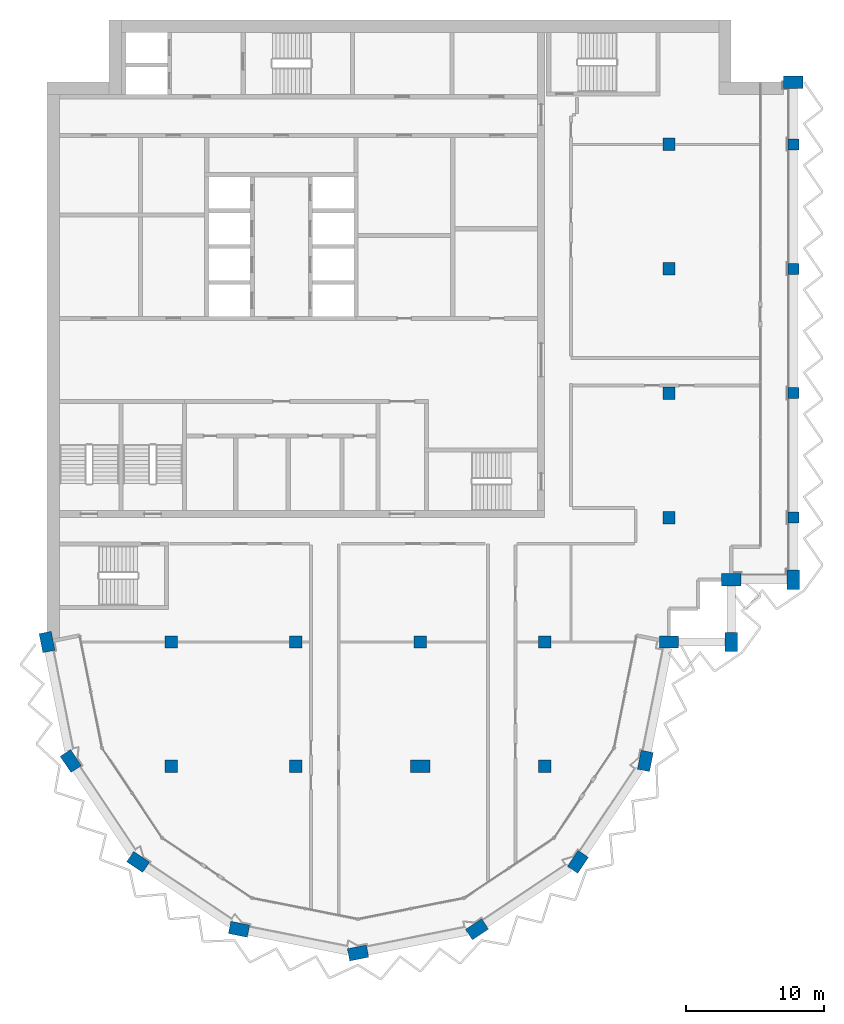
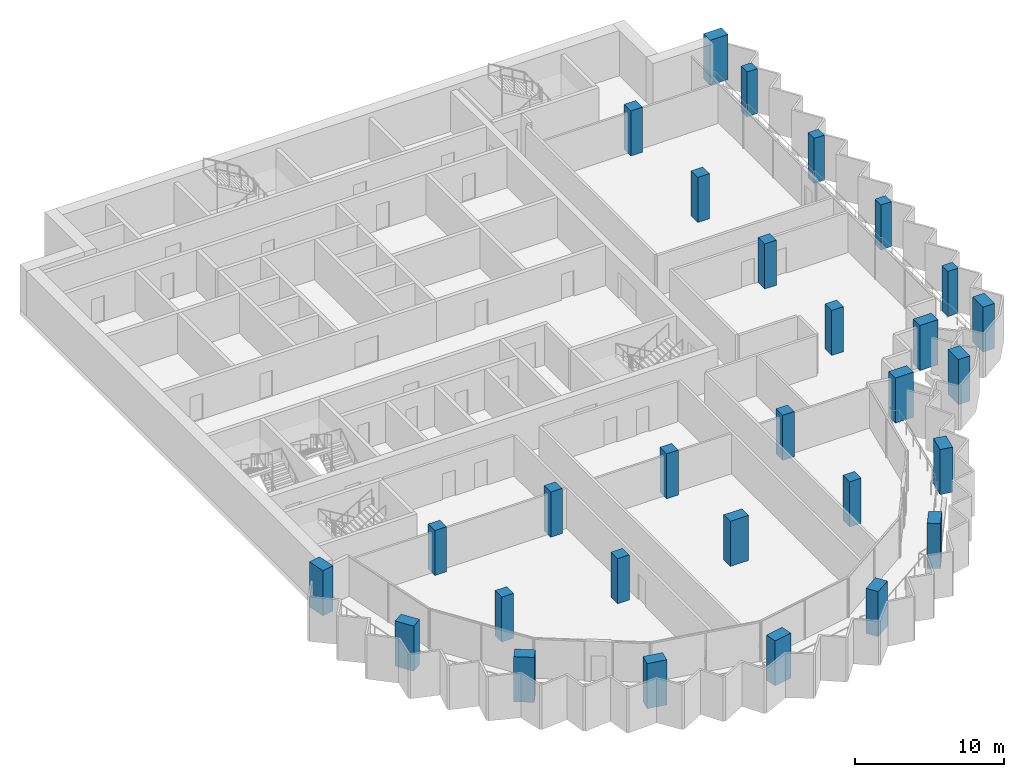
# One storey, part 1 of 14: 29 columns.
"""IFC4 building model written with IfcOpenShell, lengths in metres."""

import ifcopenshell
import ifcopenshell.guid

model = None  # the IFC model being written
_history = None  # IfcOwnerHistory: only IFC2X3 demands one
_inside = {}  # id of a spatial element -> (the spatial element, [elements in it])
_under = {}  # id of a project, library or spatial element -> (it, [spatial elements below it])
_declared = {}  # id of a project -> (the project, [libraries it declares])
_typed = {}  # id of a type object -> (the type object, [elements of that type])
_made_of = {}  # id of a material, layer set ... -> (it, [elements and type objects made of it])


def new_model(schema):
    """Start an empty IFC model of exactly this schema.

    Asked for "IFC4X3", IfcOpenShell would pick the latest addendum, in which some entities
    have other attributes; the version numbers below select the first issue.
    IFC2X3 requires an IfcOwnerHistory on every rooted entity: one is made here for all.
    """
    global model, _history
    if schema == "IFC4X3":
        model = ifcopenshell.file(schema_version=(4, 3, 0, 0))
    else:
        model = ifcopenshell.file(schema=schema)
    _inside.clear()
    _under.clear()
    _declared.clear()
    _typed.clear()
    _made_of.clear()
    _history = None
    if model.schema == "IFC2X3":
        org = make("IfcOrganization", Name="unknown")
        user = make(
            "IfcPersonAndOrganization",
            ThePerson=make("IfcPerson", FamilyName="unknown"),
            TheOrganization=org,
        )
        app = make(
            "IfcApplication",
            ApplicationDeveloper=org,
            Version="unknown",
            ApplicationFullName="unknown",
            ApplicationIdentifier="unknown",
        )
        _history = make(
            "IfcOwnerHistory",
            OwningUser=user,
            OwningApplication=app,
            ChangeAction="ADDED",
            CreationDate=0,
        )
    return model


def make(cls, **values):
    """One entity of the class cls with the attributes given. An attribute that is None is left unset."""
    return model.create_entity(
        cls, **{name: value for name, value in values.items() if value is not None}
    )


def rooted(cls, **values):
    """An entity with a GlobalId (a new one), such as an element, a storey or a relation."""
    return make(cls, GlobalId=ifcopenshell.guid.new(), OwnerHistory=_history, **values)


def si_unit(unit_type, name, prefix=None):
    """IfcSIUnit, for example si_unit("LENGTHUNIT", "METRE", prefix="MILLI")."""
    return make("IfcSIUnit", UnitType=unit_type, Prefix=prefix, Name=name)


def assignment(units):
    """IfcUnitAssignment: the units of a project."""
    return None if units is None else make("IfcUnitAssignment", Units=units)


def point(xyz):
    """IfcCartesianPoint."""
    return None if xyz is None else make("IfcCartesianPoint", Coordinates=xyz)


def direction(xyz):
    """IfcDirection."""
    return None if xyz is None else make("IfcDirection", DirectionRatios=xyz)


def frame(location, z_axis=None, x_axis=None):
    """IfcAxis2Placement3D, a coordinate frame: its origin and axes. An axis left out is left unset."""
    return make(
        "IfcAxis2Placement3D",
        Location=point(location),
        Axis=direction(z_axis),
        RefDirection=direction(x_axis),
    )


def frame_2d(location, x_axis=None):
    """IfcAxis2Placement2D, a coordinate frame in the plane: its origin and x axis."""
    return make(
        "IfcAxis2Placement2D", Location=point(location), RefDirection=direction(x_axis)
    )


def origin():
    """The frame at (0, 0, 0) with its axes left unset."""
    return frame((0.0, 0.0, 0.0))


def origin_2d():
    """The frame at (0, 0) in the plane with its x axis left unset."""
    return frame_2d((0.0, 0.0))


def place(relative_to, where):
    """IfcLocalPlacement: puts the frame where relative to a parent placement (None: the world)."""
    return make(
        "IfcLocalPlacement", PlacementRelTo=relative_to, RelativePlacement=where
    )


def context(
    kind, dimensions, precision=None, world=None, true_north=None, identifier=None
):
    """IfcGeometricRepresentationContext, for example the 3D "Model" context."""
    return make(
        "IfcGeometricRepresentationContext",
        ContextIdentifier=identifier,
        ContextType=kind,
        CoordinateSpaceDimension=dimensions,
        Precision=precision,
        WorldCoordinateSystem=world,
        TrueNorth=true_north,
    )


def subcontext(parent, identifier, kind, view, scale=None):
    """IfcGeometricRepresentationSubContext, for example "Body" below "Model"."""
    return make(
        "IfcGeometricRepresentationSubContext",
        ContextIdentifier=identifier,
        ContextType=kind,
        ParentContext=parent,
        TargetScale=scale,
        TargetView=view,
    )


def project(units=None, contexts=None):
    """IfcProject with its units and contexts."""
    return rooted(
        "IfcProject",
        Name="project",
        RepresentationContexts=contexts,
        UnitsInContext=assignment(units),
    )


def spatial(cls, under=None, at=None, **own):
    """A site, building, storey or space (cls), placed at a placement, below another one or the project."""
    s = rooted(cls, ObjectPlacement=at, **own)
    if under is not None:
        _under.setdefault(under.id(), (under, []))[1].append(s)
    return s


def profile(cls, at=None, kind="AREA", **sizes):
    """A parametric profile (cls). Its sizes go by their IFC names, for example OverallWidth=200.0."""
    return make(cls, ProfileType=kind, Position=at, **sizes)


def rectangle(**sizes):
    """IfcRectangleProfileDef."""
    return profile("IfcRectangleProfileDef", **sizes)


def extrude(swept, where, along, depth):
    """IfcExtrudedAreaSolid: the profile swept, set in the frame where, extruded along a direction by depth."""
    return make(
        "IfcExtrudedAreaSolid",
        SweptArea=swept,
        Position=where,
        ExtrudedDirection=direction(along),
        Depth=depth,
    )


def shape(context_of_items, identifier, shape_type, items):
    """IfcShapeRepresentation: the items that make up one representation, for example the "Body"."""
    return make(
        "IfcShapeRepresentation",
        ContextOfItems=context_of_items,
        RepresentationIdentifier=identifier,
        RepresentationType=shape_type,
        Items=items,
    )


def material(Name=None, Category=None):
    """IfcMaterial."""
    return make("IfcMaterial", Name=Name, Category=Category)


def material_profile(
    of_material, cross_section, Name=None, Category=None, Priority=None
):
    """IfcMaterialProfile: a cross section and its material."""
    return make(
        "IfcMaterialProfile",
        Name=Name,
        Material=of_material,
        Profile=cross_section,
        Priority=Priority,
        Category=Category,
    )


def profile_set(profiles, Name=None, composite=None):
    """IfcMaterialProfileSet."""
    return make(
        "IfcMaterialProfileSet",
        Name=Name,
        MaterialProfiles=profiles,
        CompositeProfile=composite,
    )


def made_of(thing, what):
    """Note that an element or type object is made of a material, layer set ...; save() writes the relation."""
    if what is not None:
        _made_of.setdefault(what.id(), (what, []))[1].append(thing)
    return thing


def type_object(cls, material=None, **own):
    """A type object (cls), such as IfcWallType, which elements share."""
    return made_of(rooted(cls, **own), material)


def element(
    cls,
    number,
    at=None,
    inside=None,
    cuts=None,
    type_object=None,
    material=None,
    context=None,
    identifier="Body",
    shape_type=None,
    held_by="IfcProductDefinitionShape",
    body=None,
    shapes=None,
    **own,
):
    """One element of the class cls, such as IfcWall. Its Tag is "e" and its number.

    at: its placement. inside: the storey or other place that contains it. cuts: it is an
    opening in that element (IfcRelVoidsElement). A single representation is given by context,
    identifier, shape_type and body (its items); several are given by shapes. held_by: the class
    of the entity that holds the representations. save() writes the other relations.
    """
    e = rooted(cls, Tag="e%d" % number, ObjectPlacement=at, **own)
    if body is not None:
        shapes = [shape(context, identifier, shape_type, body)]
    if shapes is not None:
        e.Representation = make(held_by, Representations=shapes)
    if inside is not None:
        _inside.setdefault(inside.id(), (inside, []))[1].append(e)
    if cuts is not None:
        rooted(
            "IfcRelVoidsElement", RelatingBuildingElement=cuts, RelatedOpeningElement=e
        )
    if type_object is not None:
        _typed.setdefault(type_object.id(), (type_object, []))[1].append(e)
    return made_of(e, material)


def aggregate(whole, parts):
    """IfcRelAggregates: a whole, such as a stair, and the parts it consists of."""
    return rooted("IfcRelAggregates", RelatingObject=whole, RelatedObjects=parts)


def save(model, path):
    """Write the relations noted so far, then the file.

    IfcRelAggregates (storeys below a building ...), IfcRelContainedInSpatialStructure (elements
    in a storey), IfcRelDefinesByType, IfcRelAssociatesMaterial and IfcRelDeclares: one each for
    every whole, place, type object, material and project.
    """
    for whole, parts in _under.values():
        aggregate(whole, parts)
    for where, things in _inside.values():
        rooted(
            "IfcRelContainedInSpatialStructure",
            RelatedElements=things,
            RelatingStructure=where,
        )
    for kind, things in _typed.values():
        rooted("IfcRelDefinesByType", RelatedObjects=things, RelatingType=kind)
    for what, things in _made_of.values():
        rooted("IfcRelAssociatesMaterial", RelatedObjects=things, RelatingMaterial=what)
    for by, libraries in _declared.values():
        rooted("IfcRelDeclares", RelatingContext=by, RelatedDefinitions=libraries)
    model.write(path)


model = new_model("IFC4")

# Units and contexts
model_context = context("Model", 3, precision=1e-05, world=origin(), true_north=direction((0.0, 1.0)))
body_context = subcontext(model_context, "Body", "Model", "MODEL_VIEW")
ifc_project = project(units=[si_unit("LENGTHUNIT", "METRE"), si_unit("AREAUNIT", "SQUARE_METRE"), si_unit("VOLUMEUNIT", "CUBIC_METRE"), si_unit("PLANEANGLEUNIT", "RADIAN"), si_unit("MASSUNIT", "GRAM", prefix="KILO")], contexts=[model_context])

# Site, building, storey
site_placement = place(None, origin())
site = spatial("IfcSite", under=ifc_project, at=site_placement, CompositionType="ELEMENT")
building_placement = place(site_placement, origin())
building = spatial("IfcBuilding", under=site, at=building_placement, Name="Hunhe Ridgeline Campus", CompositionType="ELEMENT")
storey_placement = place(building_placement, frame((0.0, 0.0, 291.89990234375)))
storey = spatial("IfcBuildingStorey", under=building, at=storey_placement, Name="L75", CompositionType="ELEMENT", Elevation=291.89990234375)

# Columns
ifc_material = material(Name="Concrete C50", Category="concrete")
ifc_material_profile_1 = material_profile(ifc_material, rectangle(XDim=1.39990234375, YDim=0.89990234375, at=origin_2d()))
ifc_profile_set_1 = profile_set([ifc_material_profile_1], Name="Concrete C50")
column_type_1 = type_object("IfcColumnType", Name="Megacolumn 1400x900 Concrete C50", PredefinedType="COLUMN", material=ifc_profile_set_1)
for number, where, z_axis, x_axis, name in (
    (1, (22.5, 31.5, 0.0), (0.0, 0.0, 1.0), (0.980785280403, 0.195090322016, 0.0), "Column C16 R20 L75"),
    (2, (13.8896484375, 33.212646484375, 0.0), (0.0, 0.0, 1.0), (-0.980785280403, 0.195090322016, 0.0), "Column C16 R21 L75"),
    (3, (31.1103515625, 33.212646484375, 0.0), (0.0, 0.0, 1.0), (0.831469612303, 0.55557023302, 0.0), "Column C16 R22 L75"),
    (4, (6.590087890625, 38.090087890625, 0.0), (0.0, 0.0, 1.0), (-0.831469612303, 0.55557023302, 0.0), "Column C16 R25 L75"),
    (5, (38.409912109375, 38.090087890625, 0.0), (0.0, 0.0, 1.0), (0.55557023302, 0.831469612303, 0.0), "Column C16 R26 L75"),
    (6, (1.712646484375, 45.3896484375, 0.0), (0.0, 0.0, 1.0), (-0.55557023302, 0.831469612303, 0.0), "Column C16 R27 L75"),
    (7, (43.287353515625, 45.3896484375, 0.0), (0.0, 0.0, 1.0), (0.195090322016, 0.980785280403, 0.0), "Column C16 R28 L75"),
    (8, (0.0, 54.0, 0.0), (0.0, 0.0, 1.0), (-0.195090322016, 0.980785280403, 0.0), "Column C16 G1 L75"),
    (9, (45.0, 54.0, 0.0), (0.0, 0.0, 1.0), (1.0, 0.0, 0.0), "Column C16 G6 L75"),
    (10, (49.5, 54.0, 0.0), (0.0, 0.0, 1.0), (0.0, 1.0, 0.0), "Column C16 R29 L75"),
    (11, (49.5, 58.5, 0.0), (0.0, 0.0, 1.0), (1.0, 0.0, 0.0), "Column C16 R33 L75"),
    (12, (54.0, 58.5, 0.0), (0.0, 0.0, 1.0), (0.0, 1.0, 0.0), "Column C16 R34 L75"),
    (13, (54.0, 94.5, 0.0), (0.0, 0.0, 1.0), (1.0, 0.0, 0.0), "Column C16 R41 L75"),
    (14, (27.0, 45.0, 0.0), (0.0, 0.0, 1.0), (1.0, 0.0, 0.0), "Column C16 F4 L75"),
):
    element("IfcColumn", number, at=place(storey_placement, frame(where, z_axis=z_axis, x_axis=x_axis)), inside=storey, type_object=column_type_1, Name=name, PredefinedType="COLUMN", context=body_context, shape_type="SweptSolid", body=[
        extrude(rectangle(XDim=1.39990234375, YDim=0.89990234375, at=origin_2d()), origin(), (0.0, 0.0, 1.0), 3.7001953125),
    ])
ifc_material_profile_2 = material_profile(ifc_material, rectangle(XDim=0.800048828125, YDim=0.800048828125, at=origin_2d()))
ifc_profile_set_2 = profile_set([ifc_material_profile_2], Name="Concrete C50")
column_type_2 = type_object("IfcColumnType", Name="RC column 800x800 Concrete C50", PredefinedType="COLUMN", material=ifc_profile_set_2)
for number, where, z_axis, x_axis, name in (
    (15, (54.0, 63.0, 0.0), (0.0, 0.0, 1.0), (1.0, 0.0, 0.0), "Column C17 H7 L75"),
    (16, (54.0, 72.0, 0.0), (0.0, 0.0, 1.0), (1.0, 0.0, 0.0), "Column C17 I7 L75"),
    (17, (54.0, 81.0, 0.0), (0.0, 0.0, 1.0), (1.0, 0.0, 0.0), "Column C17 J7 L75"),
    (18, (54.0, 90.0, 0.0), (0.0, 0.0, 1.0), (1.0, 0.0, 0.0), "Column C17 K7 L75"),
):
    element("IfcColumn", number, at=place(storey_placement, frame(where, z_axis=z_axis, x_axis=x_axis)), inside=storey, type_object=column_type_2, Name=name, PredefinedType="COLUMN", context=body_context, shape_type="SweptSolid", body=[
        extrude(rectangle(XDim=0.800048828125, YDim=0.800048828125, at=origin_2d()), origin(), (0.0, 0.0, 1.0), 3.7001953125),
    ])
ifc_material_profile_3 = material_profile(ifc_material, rectangle(XDim=0.89990234375, YDim=0.89990234375, at=origin_2d()))
ifc_profile_set_3 = profile_set([ifc_material_profile_3], Name="Concrete C50")
column_type_3 = type_object("IfcColumnType", Name="RC column 900x900 Concrete C50", PredefinedType="COLUMN", material=ifc_profile_set_3)
for number, where, z_axis, x_axis, name in (
    (19, (9.0, 45.0, 0.0), (0.0, 0.0, 1.0), (1.0, 0.0, 0.0), "Column C18 F2 L75"),
    (20, (9.0, 54.0, 0.0), (0.0, 0.0, 1.0), (1.0, 0.0, 0.0), "Column C18 G2 L75"),
    (21, (18.0, 45.0, 0.0), (0.0, 0.0, 1.0), (1.0, 0.0, 0.0), "Column C18 F3 L75"),
    (22, (18.0, 54.0, 0.0), (0.0, 0.0, 1.0), (1.0, 0.0, 0.0), "Column C18 G3 L75"),
    (23, (27.0, 54.0, 0.0), (0.0, 0.0, 1.0), (1.0, 0.0, 0.0), "Column C18 G4 L75"),
    (24, (36.0, 45.0, 0.0), (0.0, 0.0, 1.0), (1.0, 0.0, 0.0), "Column C18 F5 L75"),
    (25, (36.0, 54.0, 0.0), (0.0, 0.0, 1.0), (1.0, 0.0, 0.0), "Column C18 G5 L75"),
    (26, (45.0, 63.0, 0.0), (0.0, 0.0, 1.0), (1.0, 0.0, 0.0), "Column C18 H6 L75"),
    (27, (45.0, 72.0, 0.0), (0.0, 0.0, 1.0), (1.0, 0.0, 0.0), "Column C18 I6 L75"),
    (28, (45.0, 81.0, 0.0), (0.0, 0.0, 1.0), (1.0, 0.0, 0.0), "Column C18 J6 L75"),
    (29, (45.0, 90.0, 0.0), (0.0, 0.0, 1.0), (1.0, 0.0, 0.0), "Column C18 K6 L75"),
):
    element("IfcColumn", number, at=place(storey_placement, frame(where, z_axis=z_axis, x_axis=x_axis)), inside=storey, type_object=column_type_3, Name=name, PredefinedType="COLUMN", context=body_context, shape_type="SweptSolid", body=[
        extrude(rectangle(XDim=0.89990234375, YDim=0.89990234375, at=origin_2d()), origin(), (0.0, 0.0, 1.0), 3.7001953125),
    ])

save(model, "model.ifc")
